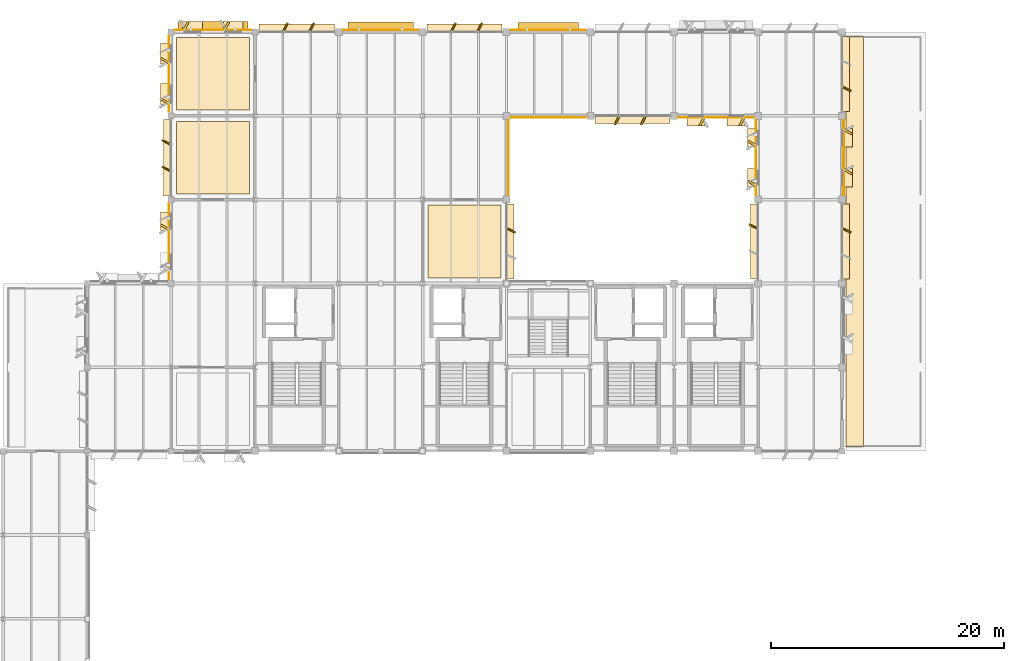
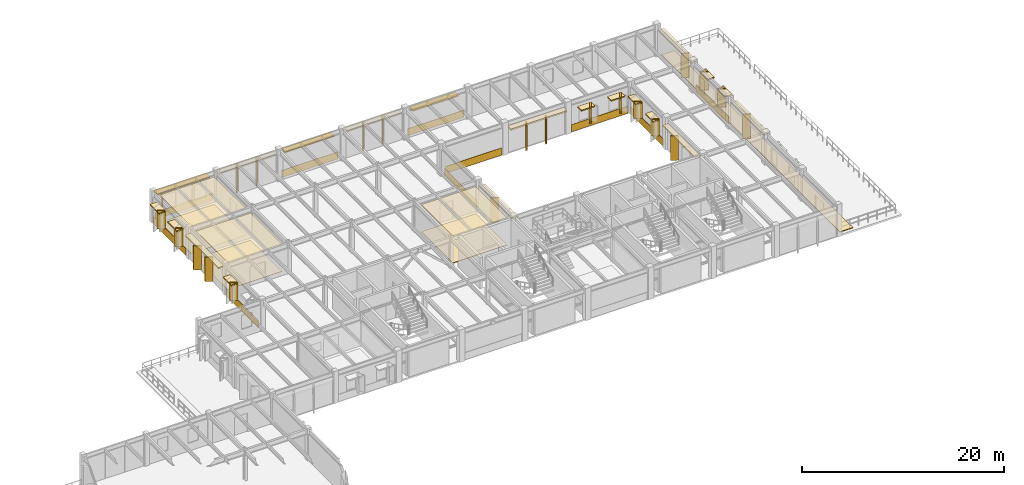
# One storey, part 34 of 35: 59 coverings, 3 shading devices.
"""IFC4 building model written with IfcOpenShell, lengths in metres."""

from ifc_helpers import new_model, si_unit, direction, frame, frame_2d, origin, origin_2d, place, context, subcontext, project, spatial, polyline, rectangle, outline, extrude, material, layer, layer_set, type_object, element, save


model = new_model("IFC4")

# Units and contexts
model_context = context("Model", 3, precision=1e-05, world=origin(), true_north=direction((0.0, 1.0)))
body_context = subcontext(model_context, "Body", "Model", "MODEL_VIEW")
ifc_project = project(units=[si_unit("LENGTHUNIT", "METRE"), si_unit("AREAUNIT", "SQUARE_METRE"), si_unit("VOLUMEUNIT", "CUBIC_METRE"), si_unit("PLANEANGLEUNIT", "RADIAN"), si_unit("MASSUNIT", "GRAM", prefix="KILO")], contexts=[model_context])

# Site, building, storey
site_placement = place(None, origin())
site = spatial("IfcSite", under=ifc_project, at=site_placement, CompositionType="ELEMENT")
building_placement = place(site_placement, origin())
building = spatial("IfcBuilding", under=site, at=building_placement, Name="Sillqori Civic Hall", CompositionType="ELEMENT")
storey_placement = place(building_placement, frame((0.0, 0.0, 18.0)))
storey = spatial("IfcBuildingStorey", under=building, at=storey_placement, Name="L05", CompositionType="ELEMENT", Elevation=18.0)

# Coverings
ifc_material_1 = material(Name="Acoustic Gypsum Board Assembly 34", Category="gypsum")
ifc_layer_1 = layer(ifc_material_1, 0.033935546875)
ifc_layer_set_1 = layer_set([ifc_layer_1], Name="Acoustic Gypsum Board Assembly 34")
covering_type_1 = type_object("IfcCoveringType", Name="COV-CEIL-G34", PredefinedType="CEILING", material=ifc_layer_set_1)
covering_1_placement = place(storey_placement, frame((0.0, 0.0, 3.2919921875)))
element("IfcCovering", 1, at=covering_1_placement, inside=storey, type_object=covering_type_1, Name="Administrative Tribunal Hearing Room acoustic ceiling", PredefinedType="CEILING", context=body_context, shape_type="SweptSolid", body=[
    extrude(outline(polyline([(43.679931640625, 101.280029296875), (49.919921875, 101.280029296875), (49.919921875, 107.52001953125), (43.679931640625, 107.52001953125), (43.679931640625, 101.280029296875)])), origin(), (0.0, 0.0, 1.0), 0.033935546875),
])
ifc_material_2 = material(Name="Andean Cedar Slatted Baffle 46", Category="timber")
ifc_layer_2 = layer(ifc_material_2, 0.0458984375)
ifc_layer_set_2 = layer_set([ifc_layer_2], Name="Andean Cedar Slatted Baffle 46")
covering_type_2 = type_object("IfcCoveringType", Name="COV-CEIL-T46", PredefinedType="CEILING", material=ifc_layer_set_2)
covering_2_placement = place(storey_placement, frame((0.0, 0.0, 3.280029296875)))
element("IfcCovering", 2, at=covering_2_placement, inside=storey, type_object=covering_type_2, Name="Public Contracts Archive and Registry acoustic ceiling", PredefinedType="CEILING", context=body_context, shape_type="SweptSolid", body=[
    extrude(outline(polyline([(43.679931640625, 108.47998046875), (49.919921875, 108.47998046875), (49.919921875, 114.719970703125), (43.679931640625, 114.719970703125), (43.679931640625, 108.47998046875)])), origin(), (0.0, 0.0, 1.0), 0.0458984375),
])
ifc_material_3 = material(Name="Andean Cedar Slatted Baffle 52", Category="timber")
ifc_layer_3 = layer(ifc_material_3, 0.052001953125)
ifc_layer_set_3 = layer_set([ifc_layer_3], Name="Andean Cedar Slatted Baffle 52")
covering_type_3 = type_object("IfcCoveringType", Name="COV-CEIL-T52", PredefinedType="CEILING", material=ifc_layer_set_3)
covering_3_placement = place(storey_placement, frame((0.0, 0.0, 3.27392578125)))
element("IfcCovering", 3, at=covering_3_placement, inside=storey, type_object=covering_type_3, Name="Civic Staff Continuing Education Classroom acoustic ceiling", PredefinedType="CEILING", context=body_context, shape_type="SweptSolid", body=[
    extrude(outline(polyline([(65.280029296875, 94.080078125), (71.52001953125, 94.080078125), (71.52001953125, 100.320068359375), (65.280029296875, 100.320068359375), (65.280029296875, 94.080078125)])), origin(), (0.0, 0.0, 1.0), 0.052001953125),
])
ifc_material_4 = material(Name="Cochabamba Honed Limestone Cladding", Category="masonry")
ifc_layer_4 = layer(ifc_material_4, 0.044921875)
ifc_layer_set_4 = layer_set([ifc_layer_4], Name="Cochabamba Honed Limestone Cladding")
covering_type_4 = type_object("IfcCoveringType", Name="COV-CLAD-LIME", PredefinedType="CLADDING", material=ifc_layer_set_4)
covering_4_placement = place(storey_placement, frame((43.0400390625, 93.929931640625, 0.0400390625), z_axis=(0.0, 0.0, 1.0), x_axis=(0.0, 1.0, 0.0)))
element("IfcCovering", 4, at=covering_4_placement, inside=storey, type_object=covering_type_4, Name="L05 limestone spandrel cladding L05-06-13-W", PredefinedType="CLADDING", context=body_context, shape_type="SweptSolid", body=[
    extrude(rectangle(XDim=6.5400390625, YDim=0.044921875, at=frame_2d((3.27001953125, 0.0))), origin(), (0.0, 0.0, 1.0), 0.85986328125),
])
covering_5_placement = place(storey_placement, frame((43.080078125, 98.197021484375, 0.830078125), z_axis=(0.0, 0.0, 1.0), x_axis=(-0.865989465428, 0.500062241894, 0.0)))
element("IfcCovering", 5, at=covering_5_placement, inside=storey, type_object=covering_type_4, Name="Sawtooth limestone angled reveal cheek L05-06-13-W.2", PredefinedType="CLADDING", context=body_context, shape_type="SweptSolid", body=[
    extrude(rectangle(XDim=0.85009765625, YDim=0.179931640625, at=frame_2d((0.425048828125, 0.0))), origin(), (0.0, 0.0, 1.0), 2.14990234375),
])
covering_6_placement = place(storey_placement, frame((42.699951171875, 98.136962890625, 2.840087890625), z_axis=(0.0, 0.0, 1.0), x_axis=(0.0, 1.0, 0.0)))
element("IfcCovering", 6, at=covering_6_placement, inside=storey, type_object=covering_type_4, Name="Sawtooth limestone window hood L05-06-13-W.2", PredefinedType="CLADDING", context=body_context, shape_type="SweptSolid", body=[
    extrude(rectangle(XDim=1.610107421875, YDim=0.780029296875, at=frame_2d((0.80517578125, 0.0))), origin(), (0.0, 0.0, 1.0), 0.139892578125),
])
covering_7_placement = place(storey_placement, frame((42.8798828125, 101.1298828125, 2.991943359375), z_axis=(0.0, 0.0, 1.0), x_axis=(0.0, 1.0, 0.0)))
element("IfcCovering", 7, at=covering_7_placement, inside=storey, type_object=covering_type_4, Name="L05 curtain-wall limestone solar hood L05-06-14-W", PredefinedType="CLADDING", context=body_context, shape_type="SweptSolid", body=[
    extrude(rectangle(XDim=6.5400390625, YDim=0.679931640625, at=frame_2d((3.27001953125, 0.0))), origin(), (0.0, 0.0, 1.0), 0.18017578125),
])
for number, where, z_axis, x_axis, name in (
    (8, (43.14990234375, 103.260986328125, 0.06005859375), (0.0, 0.0, 1.0), (-0.894366527193, 0.447334902547, 0.0), "L05 curtain-wall angled stone fin L05-06-14-W.1"),
    (9, (43.14990234375, 105.5390625, 0.06005859375), (0.0, 0.0, 1.0), (-0.894487846579, 0.44709226377, 0.0), "L05 curtain-wall angled stone fin L05-06-14-W.2"),
):
    element("IfcCovering", number, at=place(storey_placement, frame(where, z_axis=z_axis, x_axis=x_axis)), inside=storey, type_object=covering_type_4, Name=name, PredefinedType="CLADDING", context=body_context, shape_type="SweptSolid", body=[
        extrude(rectangle(XDim=0.804931640625, YDim=0.139892578125, at=frame_2d((0.40234375, 0.0))), origin(), (0.0, 0.0, 1.0), 2.931884765625),
    ])
covering_8_placement = place(storey_placement, frame((43.530029296875, 115.360107421875, 0.0400390625), z_axis=(0.0, 0.0, 1.0), x_axis=(1.0, 0.0, 0.0)))
element("IfcCovering", 10, at=covering_8_placement, inside=storey, type_object=covering_type_4, Name="L05 limestone spandrel cladding L05-06-15-N", PredefinedType="CLADDING", context=body_context, shape_type="SweptSolid", body=[
    extrude(rectangle(XDim=6.5400390625, YDim=0.044921875, at=frame_2d((3.27001953125, 0.0))), origin(), (0.0, 0.0, 1.0), 0.85986328125),
])
covering_9_placement = place(storey_placement, frame((44.262939453125, 115.320068359375, 0.830078125), z_axis=(0.0, 0.0, 1.0), x_axis=(0.500062241894, 0.865989465428, 0.0)))
element("IfcCovering", 11, at=covering_9_placement, inside=storey, type_object=covering_type_4, Name="Sawtooth limestone angled reveal cheek L05-06-15-N.1", PredefinedType="CLADDING", context=body_context, shape_type="SweptSolid", body=[
    extrude(rectangle(XDim=0.85009765625, YDim=0.179931640625, at=frame_2d((0.425048828125, 0.0))), origin(), (0.0, 0.0, 1.0), 2.14990234375),
])
covering_10_placement = place(storey_placement, frame((44.202880859375, 115.699951171875, 2.840087890625), z_axis=(0.0, 0.0, 1.0), x_axis=(1.0, 0.0, 0.0)))
element("IfcCovering", 12, at=covering_10_placement, inside=storey, type_object=covering_type_4, Name="Sawtooth limestone window hood L05-06-15-N.1", PredefinedType="CLADDING", context=body_context, shape_type="SweptSolid", body=[
    extrude(rectangle(XDim=1.710205078125, YDim=0.780029296875, at=frame_2d((0.85498046875, 0.0))), origin(), (0.0, 0.0, 1.0), 0.139892578125),
])
covering_11_placement = place(storey_placement, frame((47.7470703125, 115.320068359375, 0.830078125), z_axis=(0.0, 0.0, 1.0), x_axis=(0.500062241894, 0.865989465428, 0.0)))
element("IfcCovering", 13, at=covering_11_placement, inside=storey, type_object=covering_type_4, Name="Sawtooth limestone angled reveal cheek L05-06-15-N.2", PredefinedType="CLADDING", context=body_context, shape_type="SweptSolid", body=[
    extrude(rectangle(XDim=0.85009765625, YDim=0.179931640625, at=frame_2d((0.425048828125, 0.0))), origin(), (0.0, 0.0, 1.0), 2.14990234375),
])
covering_12_placement = place(storey_placement, frame((47.68701171875, 115.699951171875, 2.840087890625), z_axis=(0.0, 0.0, 1.0), x_axis=(1.0, 0.0, 0.0)))
element("IfcCovering", 14, at=covering_12_placement, inside=storey, type_object=covering_type_4, Name="Sawtooth limestone window hood L05-06-15-N.2", PredefinedType="CLADDING", context=body_context, shape_type="SweptSolid", body=[
    extrude(rectangle(XDim=1.7099609375, YDim=0.780029296875, at=frame_2d((0.85498046875, 0.0))), origin(), (0.0, 0.0, 1.0), 0.139892578125),
])
covering_13_placement = place(storey_placement, frame((43.0400390625, 108.330078125, 0.0400390625), z_axis=(0.0, 0.0, 1.0), x_axis=(0.0, 1.0, 0.0)))
element("IfcCovering", 15, at=covering_13_placement, inside=storey, type_object=covering_type_4, Name="L05 limestone spandrel cladding L05-06-15-W", PredefinedType="CLADDING", context=body_context, shape_type="SweptSolid", body=[
    extrude(rectangle(XDim=6.5400390625, YDim=0.044921875, at=frame_2d((3.27001953125, 0.0))), origin(), (0.0, 0.0, 1.0), 0.85986328125),
])
covering_14_placement = place(storey_placement, frame((43.080078125, 109.012939453125, 0.830078125), z_axis=(0.0, 0.0, 1.0), x_axis=(-0.865989465428, 0.500062241894, 0.0)))
element("IfcCovering", 16, at=covering_14_placement, inside=storey, type_object=covering_type_4, Name="Sawtooth limestone angled reveal cheek L05-06-15-W.1", PredefinedType="CLADDING", context=body_context, shape_type="SweptSolid", body=[
    extrude(rectangle(XDim=0.85009765625, YDim=0.179931640625, at=frame_2d((0.425048828125, 0.0))), origin(), (0.0, 0.0, 1.0), 2.14990234375),
])
covering_15_placement = place(storey_placement, frame((42.699951171875, 108.952880859375, 2.840087890625), z_axis=(0.0, 0.0, 1.0), x_axis=(0.0, 1.0, 0.0)))
element("IfcCovering", 17, at=covering_15_placement, inside=storey, type_object=covering_type_4, Name="Sawtooth limestone window hood L05-06-15-W.1", PredefinedType="CLADDING", context=body_context, shape_type="SweptSolid", body=[
    extrude(rectangle(XDim=1.81005859375, YDim=0.780029296875, at=frame_2d((0.905029296875, 0.0))), origin(), (0.0, 0.0, 1.0), 0.139892578125),
])
covering_16_placement = place(storey_placement, frame((43.080078125, 112.4970703125, 0.830078125), z_axis=(0.0, 0.0, 1.0), x_axis=(-0.865989465428, 0.500062241894, 0.0)))
element("IfcCovering", 18, at=covering_16_placement, inside=storey, type_object=covering_type_4, Name="Sawtooth limestone angled reveal cheek L05-06-15-W.2", PredefinedType="CLADDING", context=body_context, shape_type="SweptSolid", body=[
    extrude(rectangle(XDim=0.85009765625, YDim=0.179931640625, at=frame_2d((0.425048828125, 0.0))), origin(), (0.0, 0.0, 1.0), 2.14990234375),
])
covering_17_placement = place(storey_placement, frame((42.699951171875, 112.43701171875, 2.840087890625), z_axis=(0.0, 0.0, 1.0), x_axis=(0.0, 1.0, 0.0)))
element("IfcCovering", 19, at=covering_17_placement, inside=storey, type_object=covering_type_4, Name="Sawtooth limestone window hood L05-06-15-W.2", PredefinedType="CLADDING", context=body_context, shape_type="SweptSolid", body=[
    extrude(rectangle(XDim=1.81005859375, YDim=0.780029296875, at=frame_2d((0.905029296875, 0.0))), origin(), (0.0, 0.0, 1.0), 0.139892578125),
])
covering_18_placement = place(storey_placement, frame((50.72998046875, 115.52001953125, 3.011962890625), z_axis=(0.0, 0.0, 1.0), x_axis=(1.0, 0.0, 0.0)))
element("IfcCovering", 20, at=covering_18_placement, inside=storey, type_object=covering_type_4, Name="L05 curtain-wall limestone solar hood L05-07-15-N", PredefinedType="CLADDING", context=body_context, shape_type="SweptSolid", body=[
    extrude(rectangle(XDim=6.489990234375, YDim=0.679931640625, at=frame_2d((3.2451171875, 0.0))), origin(), (0.0, 0.0, 1.0), 0.179931640625),
])
for number, where, z_axis, x_axis, name in (
    (21, (52.844482421875, 115.25, 0.06005859375), (0.0, 0.0, 1.0), (0.447334902547, 0.894366527193, 0.0), "L05 curtain-wall angled stone fin L05-07-15-N.1"),
    (22, (55.10546875, 115.25, 0.06005859375), (0.0, 0.0, 1.0), (0.447334902547, 0.894366527193, 0.0), "L05 curtain-wall angled stone fin L05-07-15-N.2"),
):
    element("IfcCovering", number, at=place(storey_placement, frame(where, z_axis=z_axis, x_axis=x_axis)), inside=storey, type_object=covering_type_4, Name=name, PredefinedType="CLADDING", context=body_context, shape_type="SweptSolid", body=[
        extrude(rectangle(XDim=0.804931640625, YDim=0.139892578125, at=frame_2d((0.40234375, 0.0))), origin(), (0.0, 0.0, 1.0), 2.951904296875),
    ])
covering_19_placement = place(storey_placement, frame((57.97998046875, 115.360107421875, 0.0400390625), z_axis=(0.0, 0.0, 1.0), x_axis=(1.0, 0.0, 0.0)))
element("IfcCovering", 23, at=covering_19_placement, inside=storey, type_object=covering_type_4, Name="L05 limestone spandrel cladding L05-08-15-N", PredefinedType="CLADDING", context=body_context, shape_type="SweptSolid", body=[
    extrude(rectangle(XDim=6.43994140625, YDim=0.044921875, at=frame_2d((3.219970703125, 0.0))), origin(), (0.0, 0.0, 1.0), 0.85986328125),
])
covering_20_placement = place(storey_placement, frame((72.320068359375, 100.419921875, 3.011962890625), z_axis=(0.0, 0.0, 1.0), x_axis=(0.0, -1.0, 0.0)))
element("IfcCovering", 24, at=covering_20_placement, inside=storey, type_object=covering_type_4, Name="L05 curtain-wall limestone solar hood L05-09-13-E", PredefinedType="CLADDING", context=body_context, shape_type="SweptSolid", body=[
    extrude(rectangle(XDim=6.43994140625, YDim=0.679931640625, at=frame_2d((3.219970703125, 0.0))), origin(), (0.0, 0.0, 1.0), 0.179931640625),
])
covering_21_placement = place(storey_placement, frame((72.050048828125, 98.322021484375, 0.06005859375), z_axis=(0.0, 0.0, 1.0), x_axis=(0.894366527193, -0.447334902547, 0.0)))
element("IfcCovering", 25, at=covering_21_placement, inside=storey, type_object=covering_type_4, Name="L05 curtain-wall angled stone fin L05-09-13-E.1", PredefinedType="CLADDING", context=body_context, shape_type="SweptSolid", body=[
    extrude(rectangle(XDim=0.804931640625, YDim=0.139892578125, at=frame_2d((0.40234375, 0.0))), origin(), (0.0, 0.0, 1.0), 2.951904296875),
])
covering_22_placement = place(storey_placement, frame((72.159912109375, 107.6201171875, 0.0400390625), z_axis=(0.0, 0.0, 1.0), x_axis=(0.0, -1.0, 0.0)))
element("IfcCovering", 26, at=covering_22_placement, inside=storey, type_object=covering_type_4, Name="L05 limestone spandrel cladding L05-09-14-E", PredefinedType="CLADDING", context=body_context, shape_type="SweptSolid", body=[
    extrude(rectangle(XDim=6.440185546875, YDim=0.044921875, at=frame_2d((3.22021484375, 0.0))), origin(), (0.0, 0.0, 1.0), 0.85986328125),
])
covering_23_placement = place(storey_placement, frame((65.179931640625, 115.52001953125, 3.011962890625), z_axis=(0.0, 0.0, 1.0), x_axis=(1.0, 0.0, 0.0)))
element("IfcCovering", 27, at=covering_23_placement, inside=storey, type_object=covering_type_4, Name="L05 curtain-wall limestone solar hood L05-09-15-N", PredefinedType="CLADDING", context=body_context, shape_type="SweptSolid", body=[
    extrude(rectangle(XDim=6.440185546875, YDim=0.679931640625, at=frame_2d((3.22021484375, 0.0))), origin(), (0.0, 0.0, 1.0), 0.179931640625),
])
for number, where, z_axis, x_axis, name in (
    (28, (67.278076171875, 115.25, 0.06005859375), (0.0, 0.0, 1.0), (0.44709226377, 0.894487846579, 0.0), "L05 curtain-wall angled stone fin L05-09-15-N.1"),
    (29, (69.52197265625, 115.25, 0.06005859375), (0.0, 0.0, 1.0), (0.447334902547, 0.894366527193, 0.0), "L05 curtain-wall angled stone fin L05-09-15-N.2"),
):
    element("IfcCovering", number, at=place(storey_placement, frame(where, z_axis=z_axis, x_axis=x_axis)), inside=storey, type_object=covering_type_4, Name=name, PredefinedType="CLADDING", context=body_context, shape_type="SweptSolid", body=[
        extrude(rectangle(XDim=0.804931640625, YDim=0.139892578125, at=frame_2d((0.40234375, 0.0))), origin(), (0.0, 0.0, 1.0), 2.951904296875),
    ])
for number, where, z_axis, x_axis, name in (
    (30, (78.820068359375, 107.840087890625, 0.0400390625), (0.0, 0.0, 1.0), (-1.0, 0.0, 0.0), "L05 limestone spandrel cladding L05-10-15-S"),
    (31, (72.3798828125, 115.360107421875, 0.0400390625), (0.0, 0.0, 1.0), (1.0, 0.0, 0.0), "L05 limestone spandrel cladding L05-10-15-N"),
):
    element("IfcCovering", number, at=place(storey_placement, frame(where, z_axis=z_axis, x_axis=x_axis)), inside=storey, type_object=covering_type_4, Name=name, PredefinedType="CLADDING", context=body_context, shape_type="SweptSolid", body=[
        extrude(rectangle(XDim=6.440185546875, YDim=0.044921875, at=frame_2d((3.22021484375, 0.0))), origin(), (0.0, 0.0, 1.0), 0.85986328125),
    ])
covering_24_placement = place(storey_placement, frame((86.02001953125, 107.679931640625, 3.011962890625), z_axis=(0.0, 0.0, 1.0), x_axis=(-1.0, 0.0, 0.0)))
element("IfcCovering", 32, at=covering_24_placement, inside=storey, type_object=covering_type_4, Name="L05 curtain-wall limestone solar hood L05-11-15-S", PredefinedType="CLADDING", context=body_context, shape_type="SweptSolid", body=[
    extrude(rectangle(XDim=6.43994140625, YDim=0.679931640625, at=frame_2d((3.219970703125, 0.0))), origin(), (0.0, 0.0, 1.0), 0.179931640625),
])
for number, where, z_axis, x_axis, name in (
    (33, (83.922119140625, 107.949951171875, 0.06005859375), (0.0, 0.0, 1.0), (-0.447334902547, -0.894366527193, 0.0), "L05 curtain-wall angled stone fin L05-11-15-S.1"),
    (34, (81.677978515625, 107.949951171875, 0.06005859375), (0.0, 0.0, 1.0), (-0.44709226377, -0.894487846579, 0.0), "L05 curtain-wall angled stone fin L05-11-15-S.2"),
):
    element("IfcCovering", number, at=place(storey_placement, frame(where, z_axis=z_axis, x_axis=x_axis)), inside=storey, type_object=covering_type_4, Name=name, PredefinedType="CLADDING", context=body_context, shape_type="SweptSolid", body=[
        extrude(rectangle(XDim=0.804931640625, YDim=0.139892578125, at=frame_2d((0.40234375, 0.0))), origin(), (0.0, 0.0, 1.0), 2.951904296875),
    ])
covering_25_placement = place(storey_placement, frame((93.219970703125, 107.840087890625, 0.0400390625), z_axis=(0.0, 0.0, 1.0), x_axis=(-1.0, 0.0, 0.0)))
element("IfcCovering", 35, at=covering_25_placement, inside=storey, type_object=covering_type_4, Name="L05 limestone spandrel cladding L05-12-15-S", PredefinedType="CLADDING", context=body_context, shape_type="SweptSolid", body=[
    extrude(rectangle(XDim=6.43994140625, YDim=0.044921875, at=frame_2d((3.219970703125, 0.0))), origin(), (0.0, 0.0, 1.0), 0.85986328125),
])
covering_26_placement = place(storey_placement, frame((92.43603515625, 107.8798828125, 0.830078125), z_axis=(0.0, 0.0, 1.0), x_axis=(-0.500062241894, -0.865989465428, 0.0)))
element("IfcCovering", 36, at=covering_26_placement, inside=storey, type_object=covering_type_4, Name="Sawtooth limestone angled reveal cheek L05-12-15-S.1", PredefinedType="CLADDING", context=body_context, shape_type="SweptSolid", body=[
    extrude(rectangle(XDim=0.85009765625, YDim=0.179931640625, at=frame_2d((0.425048828125, 0.0))), origin(), (0.0, 0.0, 1.0), 2.0),
])
covering_27_placement = place(storey_placement, frame((92.49609375, 107.5, 2.68994140625), z_axis=(0.0, 0.0, 1.0), x_axis=(-1.0, 0.0, 0.0)))
element("IfcCovering", 37, at=covering_27_placement, inside=storey, type_object=covering_type_4, Name="Sawtooth limestone window hood L05-12-15-S.1", PredefinedType="CLADDING", context=body_context, shape_type="SweptSolid", body=[
    extrude(rectangle(XDim=1.56005859375, YDim=0.780029296875, at=frame_2d((0.780029296875, 0.0))), origin(), (0.0, 0.0, 1.0), 0.14013671875),
])
covering_28_placement = place(storey_placement, frame((89.00390625, 107.8798828125, 0.830078125), z_axis=(0.0, 0.0, 1.0), x_axis=(-0.499846793097, -0.866113839764, 0.0)))
element("IfcCovering", 38, at=covering_28_placement, inside=storey, type_object=covering_type_4, Name="Sawtooth limestone angled reveal cheek L05-12-15-S.2", PredefinedType="CLADDING", context=body_context, shape_type="SweptSolid", body=[
    extrude(rectangle(XDim=0.849853515625, YDim=0.179931640625, at=frame_2d((0.4248046875, 0.0))), origin(), (0.0, 0.0, 1.0), 2.0),
])
covering_29_placement = place(storey_placement, frame((89.06396484375, 107.5, 2.68994140625), z_axis=(0.0, 0.0, 1.0), x_axis=(-1.0, 0.0, 0.0)))
element("IfcCovering", 39, at=covering_29_placement, inside=storey, type_object=covering_type_4, Name="Sawtooth limestone window hood L05-12-15-S.2", PredefinedType="CLADDING", context=body_context, shape_type="SweptSolid", body=[
    extrude(rectangle(XDim=1.56005859375, YDim=0.780029296875, at=frame_2d((0.780029296875, 0.0))), origin(), (0.0, 0.0, 1.0), 0.14013671875),
])
covering_30_placement = place(storey_placement, frame((93.280029296875, 93.97998046875, 3.011962890625), z_axis=(0.0, 0.0, 1.0), x_axis=(0.0, 1.0, 0.0)))
element("IfcCovering", 40, at=covering_30_placement, inside=storey, type_object=covering_type_4, Name="L05 curtain-wall limestone solar hood L05-13-13-W", PredefinedType="CLADDING", context=body_context, shape_type="SweptSolid", body=[
    extrude(rectangle(XDim=6.43994140625, YDim=0.679931640625, at=frame_2d((3.219970703125, 0.0))), origin(), (0.0, 0.0, 1.0), 0.179931640625),
])
covering_31_placement = place(storey_placement, frame((93.550048828125, 98.322021484375, 0.06005859375), z_axis=(0.0, 0.0, 1.0), x_axis=(-0.894487846579, 0.44709226377, 0.0)))
element("IfcCovering", 41, at=covering_31_placement, inside=storey, type_object=covering_type_4, Name="L05 curtain-wall angled stone fin L05-13-13-W.2", PredefinedType="CLADDING", context=body_context, shape_type="SweptSolid", body=[
    extrude(rectangle(XDim=0.804931640625, YDim=0.139892578125, at=frame_2d((0.40234375, 0.0))), origin(), (0.0, 0.0, 1.0), 2.951904296875),
])
covering_32_placement = place(storey_placement, frame((101.1201171875, 100.419921875, 3.011962890625), z_axis=(0.0, 0.0, 1.0), x_axis=(0.0, -1.0, 0.0)))
element("IfcCovering", 42, at=covering_32_placement, inside=storey, type_object=covering_type_4, Name="L05 curtain-wall limestone solar hood L05-13-13-E", PredefinedType="CLADDING", context=body_context, shape_type="SweptSolid", body=[
    extrude(rectangle(XDim=6.43994140625, YDim=0.679931640625, at=frame_2d((3.219970703125, 0.0))), origin(), (0.0, 0.0, 1.0), 0.179931640625),
])
covering_33_placement = place(storey_placement, frame((100.85009765625, 98.322021484375, 0.06005859375), z_axis=(0.0, 0.0, 1.0), x_axis=(0.894366527193, -0.447334902547, 0.0)))
element("IfcCovering", 43, at=covering_33_placement, inside=storey, type_object=covering_type_4, Name="L05 curtain-wall angled stone fin L05-13-13-E.1", PredefinedType="CLADDING", context=body_context, shape_type="SweptSolid", body=[
    extrude(rectangle(XDim=0.804931640625, YDim=0.139892578125, at=frame_2d((0.40234375, 0.0))), origin(), (0.0, 0.0, 1.0), 2.951904296875),
])
covering_34_placement = place(storey_placement, frame((93.43994140625, 101.179931640625, 0.0400390625), z_axis=(0.0, 0.0, 1.0), x_axis=(0.0, 1.0, 0.0)))
element("IfcCovering", 44, at=covering_34_placement, inside=storey, type_object=covering_type_4, Name="L05 limestone spandrel cladding L05-13-14-W", PredefinedType="CLADDING", context=body_context, shape_type="SweptSolid", body=[
    extrude(rectangle(XDim=6.440185546875, YDim=0.044921875, at=frame_2d((3.22021484375, 0.0))), origin(), (0.0, 0.0, 1.0), 0.85986328125),
])
covering_35_placement = place(storey_placement, frame((93.47998046875, 101.964111328125, 0.830078125), z_axis=(0.0, 0.0, 1.0), x_axis=(-0.866113839764, 0.499846793097, 0.0)))
element("IfcCovering", 45, at=covering_35_placement, inside=storey, type_object=covering_type_4, Name="Sawtooth limestone angled reveal cheek L05-13-14-W.1", PredefinedType="CLADDING", context=body_context, shape_type="SweptSolid", body=[
    extrude(rectangle(XDim=0.849853515625, YDim=0.179931640625, at=frame_2d((0.4248046875, 0.0))), origin(), (0.0, 0.0, 1.0), 2.0),
])
covering_36_placement = place(storey_placement, frame((93.10009765625, 101.904052734375, 2.68994140625), z_axis=(0.0, 0.0, 1.0), x_axis=(0.0, 1.0, 0.0)))
element("IfcCovering", 46, at=covering_36_placement, inside=storey, type_object=covering_type_4, Name="Sawtooth limestone window hood L05-13-14-W.1", PredefinedType="CLADDING", context=body_context, shape_type="SweptSolid", body=[
    extrude(rectangle(XDim=1.56005859375, YDim=0.780029296875, at=frame_2d((0.780029296875, 0.0))), origin(), (0.0, 0.0, 1.0), 0.14013671875),
])
covering_37_placement = place(storey_placement, frame((93.47998046875, 105.39599609375, 0.830078125), z_axis=(0.0, 0.0, 1.0), x_axis=(-0.865989465428, 0.500062241894, 0.0)))
element("IfcCovering", 47, at=covering_37_placement, inside=storey, type_object=covering_type_4, Name="Sawtooth limestone angled reveal cheek L05-13-14-W.2", PredefinedType="CLADDING", context=body_context, shape_type="SweptSolid", body=[
    extrude(rectangle(XDim=0.85009765625, YDim=0.179931640625, at=frame_2d((0.425048828125, 0.0))), origin(), (0.0, 0.0, 1.0), 2.0),
])
covering_38_placement = place(storey_placement, frame((93.10009765625, 105.3359375, 2.68994140625), z_axis=(0.0, 0.0, 1.0), x_axis=(0.0, 1.0, 0.0)))
element("IfcCovering", 48, at=covering_38_placement, inside=storey, type_object=covering_type_4, Name="Sawtooth limestone window hood L05-13-14-W.2", PredefinedType="CLADDING", context=body_context, shape_type="SweptSolid", body=[
    extrude(rectangle(XDim=1.56005859375, YDim=0.780029296875, at=frame_2d((0.780029296875, 0.0))), origin(), (0.0, 0.0, 1.0), 0.14013671875),
])
covering_39_placement = place(storey_placement, frame((100.9599609375, 107.6201171875, 0.0400390625), z_axis=(0.0, 0.0, 1.0), x_axis=(0.0, -1.0, 0.0)))
element("IfcCovering", 49, at=covering_39_placement, inside=storey, type_object=covering_type_4, Name="L05 limestone spandrel cladding L05-13-14-E", PredefinedType="CLADDING", context=body_context, shape_type="SweptSolid", body=[
    extrude(rectangle(XDim=6.440185546875, YDim=0.044921875, at=frame_2d((3.22021484375, 0.0))), origin(), (0.0, 0.0, 1.0), 0.85986328125),
])
covering_40_placement = place(storey_placement, frame((100.919921875, 106.861083984375, 0.830078125), z_axis=(0.0, 0.0, 1.0), x_axis=(0.865989465428, -0.500062241894, 0.0)))
element("IfcCovering", 50, at=covering_40_placement, inside=storey, type_object=covering_type_4, Name="Sawtooth limestone angled reveal cheek L05-13-14-E.1", PredefinedType="CLADDING", context=body_context, shape_type="SweptSolid", body=[
    extrude(rectangle(XDim=0.85009765625, YDim=0.179931640625, at=frame_2d((0.425048828125, 0.0))), origin(), (0.0, 0.0, 1.0), 2.14990234375),
])
covering_41_placement = place(storey_placement, frame((101.300048828125, 106.9208984375, 2.840087890625), z_axis=(0.0, 0.0, 1.0), x_axis=(0.0, -1.0, 0.0)))
element("IfcCovering", 51, at=covering_41_placement, inside=storey, type_object=covering_type_4, Name="Sawtooth limestone window hood L05-13-14-E.1", PredefinedType="CLADDING", context=body_context, shape_type="SweptSolid", body=[
    extrude(rectangle(XDim=1.60986328125, YDim=0.780029296875, at=frame_2d((0.804931640625, 0.0))), origin(), (0.0, 0.0, 1.0), 0.139892578125),
])
covering_42_placement = place(storey_placement, frame((100.919921875, 103.428955078125, 0.830078125), z_axis=(0.0, 0.0, 1.0), x_axis=(0.865989465428, -0.500062241894, 0.0)))
element("IfcCovering", 52, at=covering_42_placement, inside=storey, type_object=covering_type_4, Name="Sawtooth limestone angled reveal cheek L05-13-14-E.2", PredefinedType="CLADDING", context=body_context, shape_type="SweptSolid", body=[
    extrude(rectangle(XDim=0.85009765625, YDim=0.179931640625, at=frame_2d((0.425048828125, 0.0))), origin(), (0.0, 0.0, 1.0), 2.14990234375),
])
covering_43_placement = place(storey_placement, frame((101.300048828125, 103.489013671875, 2.840087890625), z_axis=(0.0, 0.0, 1.0), x_axis=(0.0, -1.0, 0.0)))
element("IfcCovering", 53, at=covering_43_placement, inside=storey, type_object=covering_type_4, Name="Sawtooth limestone window hood L05-13-14-E.2", PredefinedType="CLADDING", context=body_context, shape_type="SweptSolid", body=[
    extrude(rectangle(XDim=1.610107421875, YDim=0.780029296875, at=frame_2d((0.80517578125, 0.0))), origin(), (0.0, 0.0, 1.0), 0.139892578125),
])
covering_44_placement = place(storey_placement, frame((101.1201171875, 114.820068359375, 3.011962890625), z_axis=(0.0, 0.0, 1.0), x_axis=(0.0, -1.0, 0.0)))
element("IfcCovering", 54, at=covering_44_placement, inside=storey, type_object=covering_type_4, Name="L05 curtain-wall limestone solar hood L05-13-15-E", PredefinedType="CLADDING", context=body_context, shape_type="SweptSolid", body=[
    extrude(rectangle(XDim=6.440185546875, YDim=0.679931640625, at=frame_2d((3.22021484375, 0.0))), origin(), (0.0, 0.0, 1.0), 0.179931640625),
])
covering_45_placement = place(storey_placement, frame((100.85009765625, 110.47802734375, 0.06005859375), z_axis=(0.0, 0.0, 1.0), x_axis=(0.894366527193, -0.447334902547, 0.0)))
element("IfcCovering", 55, at=covering_45_placement, inside=storey, type_object=covering_type_4, Name="L05 curtain-wall angled stone fin L05-13-15-E.2", PredefinedType="CLADDING", context=body_context, shape_type="SweptSolid", body=[
    extrude(rectangle(XDim=0.804931640625, YDim=0.139892578125, at=frame_2d((0.40234375, 0.0))), origin(), (0.0, 0.0, 1.0), 2.951904296875),
])
ifc_material_5 = material(Name="Dust-Sealed Heavy-Duty Archive Epoxy", Category="resin")
ifc_layer_5 = layer(ifc_material_5, 0.014892578125)
ifc_layer_set_5 = layer_set([ifc_layer_5], Name="Dust-Sealed Heavy-Duty Archive Epoxy")
covering_type_5 = type_object("IfcCoveringType", Name="COV-FLR-EPX", PredefinedType="FLOORING", material=ifc_layer_set_5)
covering_46_placement = place(storey_placement, origin())
element("IfcCovering", 56, at=covering_46_placement, inside=storey, type_object=covering_type_5, Name="Public Contracts Archive and Registry floor finish", PredefinedType="FLOORING", context=body_context, shape_type="SweptSolid", body=[
    extrude(outline(polyline([(43.679931640625, 108.47998046875), (49.919921875, 108.47998046875), (49.919921875, 114.719970703125), (43.679931640625, 114.719970703125), (43.679931640625, 108.47998046875)])), origin(), (0.0, 0.0, 1.0), 0.014892578125),
])
ifc_material_6 = material(Name="Honed Comanche Sandstone Paving 44", Category="masonry")
ifc_layer_6 = layer(ifc_material_6, 0.0439453125)
ifc_layer_set_6 = layer_set([ifc_layer_6], Name="Honed Comanche Sandstone Paving 44")
covering_type_6 = type_object("IfcCoveringType", Name="COV-FLR-S44", PredefinedType="FLOORING", material=ifc_layer_set_6)
covering_47_placement = place(storey_placement, origin())
element("IfcCovering", 57, at=covering_47_placement, inside=storey, type_object=covering_type_6, Name="Administrative Tribunal Hearing Room floor finish", PredefinedType="FLOORING", context=body_context, shape_type="SweptSolid", body=[
    extrude(outline(polyline([(43.679931640625, 101.280029296875), (49.919921875, 101.280029296875), (49.919921875, 107.52001953125), (43.679931640625, 107.52001953125), (43.679931640625, 101.280029296875)])), origin(), (0.0, 0.0, 1.0), 0.0439453125),
])
ifc_material_7 = material(Name="Heavy Hall Basalt Terrazzo 56", Category="masonry")
ifc_layer_7 = layer(ifc_material_7, 0.055908203125)
ifc_layer_set_7 = layer_set([ifc_layer_7], Name="Heavy Hall Basalt Terrazzo 56")
covering_type_7 = type_object("IfcCoveringType", Name="COV-FLR-S56", PredefinedType="FLOORING", material=ifc_layer_set_7)
covering_48_placement = place(storey_placement, origin())
element("IfcCovering", 58, at=covering_48_placement, inside=storey, type_object=covering_type_7, Name="Civic Staff Continuing Education Classroom floor finish", PredefinedType="FLOORING", context=body_context, shape_type="SweptSolid", body=[
    extrude(outline(polyline([(65.280029296875, 94.080078125), (71.52001953125, 94.080078125), (71.52001953125, 100.320068359375), (65.280029296875, 100.320068359375), (65.280029296875, 94.080078125)])), origin(), (0.0, 0.0, 1.0), 0.055908203125),
])
ifc_material_8 = material(Name="Extensive Andean Sedum Roof Substrate", Category="earth")
ifc_layer_8 = layer(ifc_material_8, 0.080078125)
ifc_layer_set_8 = layer_set([ifc_layer_8], Name="Extensive Andean Sedum Roof Substrate")
covering_type_8 = type_object("IfcCoveringType", Name="COV-ROOF-GRN", PredefinedType="ROOFING", material=ifc_layer_set_8)
covering_49_placement = place(storey_placement, origin())
element("IfcCovering", 59, at=covering_49_placement, inside=storey, type_object=covering_type_8, Name="Finance East Roof Garden planted planter bed", PredefinedType="ROOFING", context=body_context, shape_type="SweptSolid", body=[
    extrude(outline(polyline([(101.14990234375, 79.550048828125), (102.64990234375, 79.550048828125), (102.64990234375, 114.85009765625), (101.14990234375, 114.85009765625), (101.14990234375, 79.550048828125)])), origin(), (0.0, 0.0, 1.0), 0.080078125),
])

# Shading devices
ifc_material_9 = material(Name="Anodized Aluminium Solar Control Louvre", Category="aluminium")
shading_device_type_1 = type_object("IfcShadingDeviceType", Name="SHD-HOOD-520", PredefinedType="JALOUSIE", material=ifc_material_9)
shading_device_1_placement = place(storey_placement, frame((75.60009765625, 115.6650390625, 2.77001953125), z_axis=(0.0, 0.0, 1.0), x_axis=(1.0, 0.0, 0.0)))
element("IfcShadingDevice", 60, at=shading_device_1_placement, inside=storey, type_object=shading_device_type_1, Name="L05 north solar hood L05-10-15-N", PredefinedType="JALOUSIE", context=body_context, shape_type="SweptSolid", body=[
    extrude(rectangle(XDim=5.199951171875, YDim=0.679931640625, at=origin_2d()), origin(), (0.0, 0.0, 1.0), 0.139892578125),
])
shading_device_type_2 = type_object("IfcShadingDeviceType", Name="SHD-HOOD-560", PredefinedType="JALOUSIE", material=ifc_material_9)
shading_device_2_placement = place(storey_placement, frame((61.199951171875, 115.68505859375, 2.8701171875), z_axis=(0.0, 0.0, 1.0), x_axis=(1.0, 0.0, 0.0)))
element("IfcShadingDevice", 61, at=shading_device_2_placement, inside=storey, type_object=shading_device_type_2, Name="L05 north solar hood L05-08-15-N", PredefinedType="JALOUSIE", context=body_context, shape_type="SweptSolid", body=[
    extrude(rectangle(XDim=5.60009765625, YDim=0.719970703125, at=origin_2d()), origin(), (0.0, 0.0, 1.0), 0.139892578125),
])
shading_device_type_3 = type_object("IfcShadingDeviceType", Name="SHD-HOOD-600", PredefinedType="JALOUSIE", material=ifc_material_9)
shading_device_3_placement = place(storey_placement, frame((46.800048828125, 115.715087890625, 2.8701171875), z_axis=(0.0, 0.0, 1.0), x_axis=(1.0, 0.0, 0.0)))
element("IfcShadingDevice", 62, at=shading_device_3_placement, inside=storey, type_object=shading_device_type_3, Name="L05 north solar hood L05-06-15-N", PredefinedType="JALOUSIE", context=body_context, shape_type="SweptSolid", body=[
    extrude(rectangle(XDim=6.0, YDim=0.780029296875, at=origin_2d()), origin(), (0.0, 0.0, 1.0), 0.139892578125),
])

save(model, "model.ifc")
